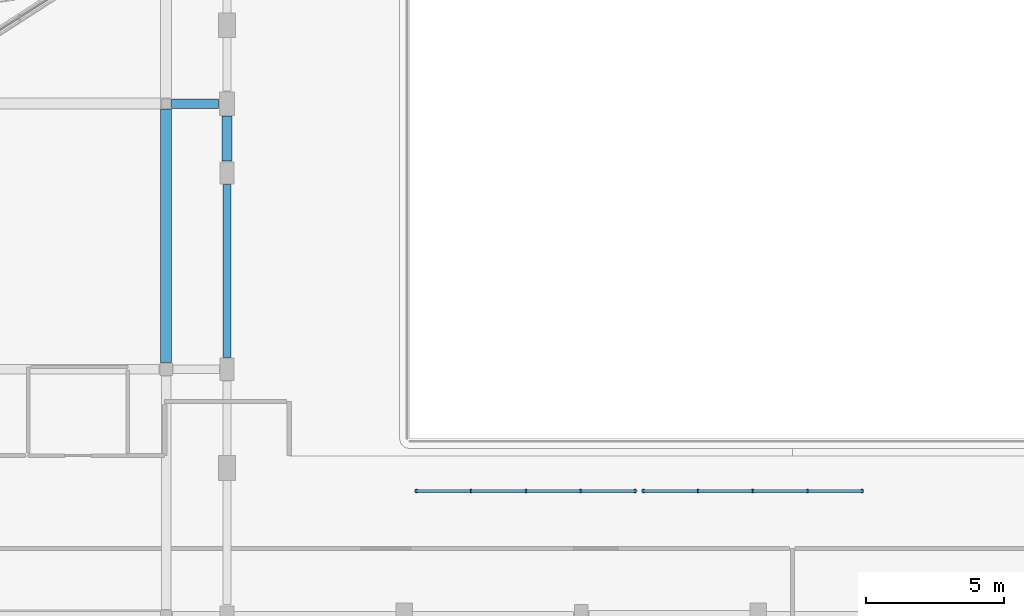
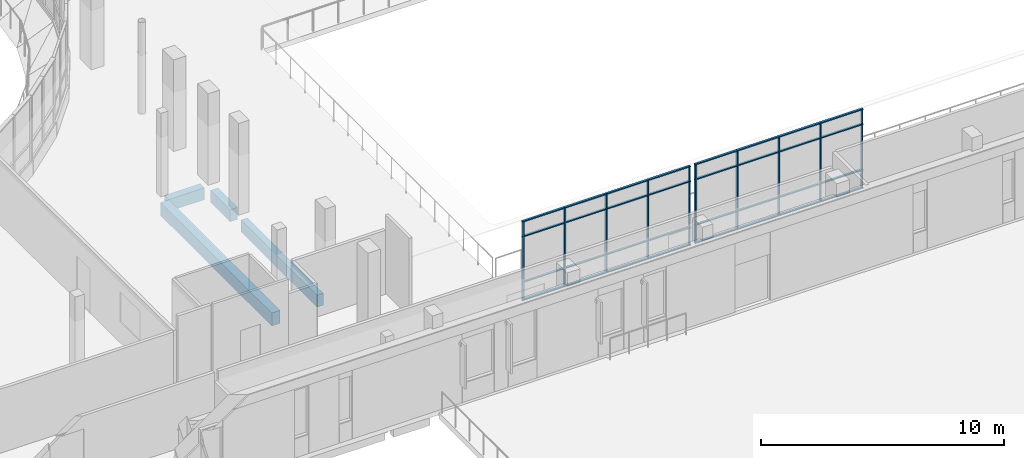
# One storey, part 16 of 73: 42 members, 4 beams, 2 elements without a shape of their own.
"""IFC4 building model written with IfcOpenShell, lengths in metres."""

from ifc_helpers import new_model, si_unit, direction, frame, origin, origin_2d, place, context, subcontext, project, spatial, rectangle, extrude, material, material_profile, profile_set, type_object, element, aggregate, save


model = new_model("IFC4")

# Units and contexts
model_context = context("Model", 3, precision=1e-05, world=origin(), true_north=direction((0.0, 1.0)))
body_context = subcontext(model_context, "Body", "Model", "MODEL_VIEW")
ifc_project = project(units=[si_unit("LENGTHUNIT", "METRE"), si_unit("AREAUNIT", "SQUARE_METRE"), si_unit("VOLUMEUNIT", "CUBIC_METRE"), si_unit("PLANEANGLEUNIT", "RADIAN"), si_unit("MASSUNIT", "GRAM", prefix="KILO")], contexts=[model_context])

# Site, building, storey
site_placement = place(None, origin())
site = spatial("IfcSite", under=ifc_project, at=site_placement, CompositionType="ELEMENT")
building_placement = place(site_placement, origin())
building = spatial("IfcBuilding", under=site, at=building_placement, Name="Mzevani Central Library", CompositionType="ELEMENT")
storey_placement = place(building_placement, frame((0.0, 0.0, 9.60009765625)))
storey = spatial("IfcBuildingStorey", under=building, at=storey_placement, Name="L02", CompositionType="ELEMENT", Elevation=9.60009765625)

# Beams
ifc_material_1 = material(Name="Concrete C35/45", Category="concrete")
ifc_material_profile_1 = material_profile(ifc_material_1, rectangle(XDim=0.300048828125, YDim=0.60009765625, at=origin_2d()), Name="RC B300x600")
ifc_profile_set_1 = profile_set([ifc_material_profile_1], Name="Concrete C35/45")
beam_type_1 = type_object("IfcBeamType", Name="Beam RC 300x600", PredefinedType="BEAM", material=ifc_profile_set_1)
beam_1_placement = place(storey_placement, frame((114.199951171875, 52.425048828125, -0.56005859375), z_axis=(0.0, 1.0, 0.0), x_axis=(-1.0, 0.0, 0.0)))
element("IfcBeam", 1, at=beam_1_placement, inside=storey, type_object=beam_type_1, Name="L02 V1 Frame Beam B-03 (130)", PredefinedType="BEAM", context=body_context, shape_type="SweptSolid", body=[
    extrude(rectangle(XDim=0.300048828125, YDim=0.60009765625, at=origin_2d()), origin(), (0.0, 0.0, 1.0), 6.25),
])
ifc_material_profile_2 = material_profile(ifc_material_1, rectangle(XDim=0.35009765625, YDim=0.60009765625, at=origin_2d()), Name="RC B350x600")
ifc_profile_set_2 = profile_set([ifc_material_profile_2], Name="Concrete C35/45")
beam_type_2 = type_object("IfcBeamType", Name="Beam RC 350x600", PredefinedType="BEAM", material=ifc_profile_set_2)
beam_2_placement = place(storey_placement, frame((112.199951171875, 61.60009765625, -0.56005859375), z_axis=(1.0, 0.0, 0.0), x_axis=(0.0, 1.0, 0.0)))
element("IfcBeam", 2, at=beam_2_placement, inside=storey, type_object=beam_type_2, Name="L02 V1 Girder B-04 (103)", PredefinedType="BEAM", context=body_context, shape_type="SweptSolid", body=[
    extrude(rectangle(XDim=0.35009765625, YDim=0.60009765625, at=origin_2d()), origin(), (0.0, 0.0, 1.0), 1.699951171875),
])
beam_3_placement = place(storey_placement, frame((114.199951171875, 59.52490234375, -0.56005859375), z_axis=(0.0, 1.0, 0.0), x_axis=(-1.0, 0.0, 0.0)))
element("IfcBeam", 3, at=beam_3_placement, inside=storey, type_object=beam_type_2, Name="L02 V1 Frame Beam B-04 (131)", PredefinedType="BEAM", context=body_context, shape_type="SweptSolid", body=[
    extrude(rectangle(XDim=0.35009765625, YDim=0.60009765625, at=origin_2d()), origin(), (0.0, 0.0, 1.0), 1.625),
])
ifc_material_profile_3 = material_profile(ifc_material_1, rectangle(XDim=0.39990234375, YDim=0.64990234375, at=origin_2d()), Name="RC B400x650")
ifc_profile_set_3 = profile_set([ifc_material_profile_3], Name="Concrete C35/45")
beam_type_3 = type_object("IfcBeamType", Name="Beam RC 400x650", PredefinedType="BEAM", material=ifc_profile_set_3)
beam_4_placement = place(storey_placement, frame((112.0, 52.25, -0.585205078125), z_axis=(0.0, 1.0, 0.0), x_axis=(-1.0, 0.0, 0.0)))
element("IfcBeam", 4, at=beam_4_placement, inside=storey, type_object=beam_type_3, Name="L02 V1 Frame Beam B-07 (126)", PredefinedType="BEAM", context=body_context, shape_type="SweptSolid", body=[
    extrude(rectangle(XDim=0.39990234375, YDim=0.64990234375, at=origin_2d()), origin(), (0.0, 0.0, 1.0), 9.14990234375),
])

# Curtain wall, members
ifc_material_2 = material(Name="Thermally broken aluminium and Low-E triple glazing", Category="aluminium")
curtain_wall_type = type_object("IfcCurtainWallType", Name="Interior Atrium Acoustic Glazed Screen", PredefinedType="NOTDEFINED", material=ifc_material_2)
curtain_wall_1_placement = place(storey_placement, origin())
curtain_wall_1 = element("IfcCurtainWall", 5, at=curtain_wall_1_placement, inside=storey, type_object=curtain_wall_type, Name="L02 Atrium Acoustic Overlook Screen 3", PredefinedType="NOTDEFINED")
ifc_material_3 = material(Name="Thermally broken aluminium AW-6060", Category="aluminium")
ifc_material_profile_4 = material_profile(ifc_material_3, rectangle(XDim=0.054931640625, YDim=0.1298828125, at=origin_2d()), Name="ALU M55x130")
ifc_profile_set_4 = profile_set([ifc_material_profile_4], Name="Thermally broken aluminium AW-6060")
member_type_1 = type_object("IfcMemberType", Name="CW Interior Mullion 55x130", PredefinedType="MULLION", material=ifc_profile_set_4)
member_1_placement = place(storey_placement, frame((121.050048828125, 47.60009765625, 0.0), z_axis=(0.0, 0.0, 1.0), x_axis=(1.0, 0.0, 0.0)))
member_1 = element("IfcMember", 6, at=member_1_placement, type_object=member_type_1, Name="L02 Atrium Acoustic Overlook Screen 3 Mullion 1", PredefinedType="MULLION", context=body_context, shape_type="SweptSolid", body=[
    extrude(rectangle(XDim=0.054931640625, YDim=0.1298828125, at=origin_2d()), origin(), (0.0, 0.0, 1.0), 3.93994140625),
])
member_2_placement = place(storey_placement, frame((123.02490234375, 47.60009765625, 0.0), z_axis=(0.0, 0.0, 1.0), x_axis=(1.0, 0.0, 0.0)))
member_2 = element("IfcMember", 7, at=member_2_placement, type_object=member_type_1, Name="L02 Atrium Acoustic Overlook Screen 3 Mullion 2", PredefinedType="MULLION", context=body_context, shape_type="SweptSolid", body=[
    extrude(rectangle(XDim=0.054931640625, YDim=0.1298828125, at=origin_2d()), origin(), (0.0, 0.0, 1.0), 3.93994140625),
])
member_3_placement = place(storey_placement, frame((125.0, 47.60009765625, 0.0), z_axis=(0.0, 0.0, 1.0), x_axis=(1.0, 0.0, 0.0)))
member_3 = element("IfcMember", 8, at=member_3_placement, type_object=member_type_1, Name="L02 Atrium Acoustic Overlook Screen 3 Mullion 3", PredefinedType="MULLION", context=body_context, shape_type="SweptSolid", body=[
    extrude(rectangle(XDim=0.054931640625, YDim=0.1298828125, at=origin_2d()), origin(), (0.0, 0.0, 1.0), 3.93994140625),
])
member_4_placement = place(storey_placement, frame((126.97509765625, 47.60009765625, 0.0), z_axis=(0.0, 0.0, 1.0), x_axis=(1.0, 0.0, 0.0)))
member_4 = element("IfcMember", 9, at=member_4_placement, type_object=member_type_1, Name="L02 Atrium Acoustic Overlook Screen 3 Mullion 4", PredefinedType="MULLION", context=body_context, shape_type="SweptSolid", body=[
    extrude(rectangle(XDim=0.054931640625, YDim=0.1298828125, at=origin_2d()), origin(), (0.0, 0.0, 1.0), 3.93994140625),
])
member_5_placement = place(storey_placement, frame((128.949951171875, 47.60009765625, 0.0), z_axis=(0.0, 0.0, 1.0), x_axis=(1.0, 0.0, 0.0)))
member_5 = element("IfcMember", 10, at=member_5_placement, type_object=member_type_1, Name="L02 Atrium Acoustic Overlook Screen 3 Mullion 5", PredefinedType="MULLION", context=body_context, shape_type="SweptSolid", body=[
    extrude(rectangle(XDim=0.054931640625, YDim=0.1298828125, at=origin_2d()), origin(), (0.0, 0.0, 1.0), 3.93994140625),
])

curtain_wall_2_placement = place(storey_placement, origin())
curtain_wall_2 = element("IfcCurtainWall", 11, at=curtain_wall_2_placement, inside=storey, type_object=curtain_wall_type, Name="L02 Atrium Acoustic Overlook Screen 4", PredefinedType="NOTDEFINED")
member_6_placement = place(storey_placement, frame((129.25, 47.60009765625, 0.0), z_axis=(0.0, 0.0, 1.0), x_axis=(1.0, 0.0, 0.0)))
member_6 = element("IfcMember", 12, at=member_6_placement, type_object=member_type_1, Name="L02 Atrium Acoustic Overlook Screen 4 Mullion 1", PredefinedType="MULLION", context=body_context, shape_type="SweptSolid", body=[
    extrude(rectangle(XDim=0.054931640625, YDim=0.1298828125, at=origin_2d()), origin(), (0.0, 0.0, 1.0), 3.93994140625),
])
member_7_placement = place(storey_placement, frame((131.22509765625, 47.60009765625, 0.0), z_axis=(0.0, 0.0, 1.0), x_axis=(1.0, 0.0, 0.0)))
member_7 = element("IfcMember", 13, at=member_7_placement, type_object=member_type_1, Name="L02 Atrium Acoustic Overlook Screen 4 Mullion 2", PredefinedType="MULLION", context=body_context, shape_type="SweptSolid", body=[
    extrude(rectangle(XDim=0.054931640625, YDim=0.1298828125, at=origin_2d()), origin(), (0.0, 0.0, 1.0), 3.93994140625),
])
member_8_placement = place(storey_placement, frame((133.199951171875, 47.60009765625, 0.0), z_axis=(0.0, 0.0, 1.0), x_axis=(1.0, 0.0, 0.0)))
member_8 = element("IfcMember", 14, at=member_8_placement, type_object=member_type_1, Name="L02 Atrium Acoustic Overlook Screen 4 Mullion 3", PredefinedType="MULLION", context=body_context, shape_type="SweptSolid", body=[
    extrude(rectangle(XDim=0.054931640625, YDim=0.1298828125, at=origin_2d()), origin(), (0.0, 0.0, 1.0), 3.93994140625),
])
member_9_placement = place(storey_placement, frame((135.175048828125, 47.60009765625, 0.0), z_axis=(0.0, 0.0, 1.0), x_axis=(1.0, 0.0, 0.0)))
member_9 = element("IfcMember", 15, at=member_9_placement, type_object=member_type_1, Name="L02 Atrium Acoustic Overlook Screen 4 Mullion 4", PredefinedType="MULLION", context=body_context, shape_type="SweptSolid", body=[
    extrude(rectangle(XDim=0.054931640625, YDim=0.1298828125, at=origin_2d()), origin(), (0.0, 0.0, 1.0), 3.93994140625),
])
member_10_placement = place(storey_placement, frame((137.14990234375, 47.60009765625, 0.0), z_axis=(0.0, 0.0, 1.0), x_axis=(1.0, 0.0, 0.0)))
member_10 = element("IfcMember", 16, at=member_10_placement, type_object=member_type_1, Name="L02 Atrium Acoustic Overlook Screen 4 Mullion 5", PredefinedType="MULLION", context=body_context, shape_type="SweptSolid", body=[
    extrude(rectangle(XDim=0.054931640625, YDim=0.1298828125, at=origin_2d()), origin(), (0.0, 0.0, 1.0), 3.93994140625),
])

# Member
ifc_material_profile_5 = material_profile(ifc_material_3, rectangle(XDim=0.10009765625, YDim=0.054931640625, at=origin_2d()), Name="ALU T55x100")
ifc_profile_set_5 = profile_set([ifc_material_profile_5], Name="Thermally broken aluminium AW-6060")
member_type_2 = type_object("IfcMemberType", Name="CW Interior Transom 55x100", PredefinedType="USERDEFINED", material=ifc_profile_set_5)
member_11_placement = place(storey_placement, frame((121.0, 47.60009765625, 0.0), z_axis=(1.0, 0.0, 0.0), x_axis=(0.0, 1.0, 0.0)))
member_11 = element("IfcMember", 17, at=member_11_placement, type_object=member_type_2, Name="L02 Atrium Acoustic Overlook Screen 3 Transom 1", ObjectType="TRANSOM", PredefinedType="USERDEFINED", context=body_context, shape_type="SweptSolid", body=[
    extrude(rectangle(XDim=0.10009765625, YDim=0.054931640625, at=origin_2d()), origin(), (0.0, 0.0, 1.0), 2.0),
])

member_12_placement = place(storey_placement, frame((121.0, 47.60009765625, 0.89990234375), z_axis=(1.0, 0.0, 0.0), x_axis=(0.0, 1.0, 0.0)))
member_12 = element("IfcMember", 18, at=member_12_placement, type_object=member_type_2, Name="L02 Atrium Acoustic Overlook Screen 3 Transom 2", ObjectType="TRANSOM", PredefinedType="USERDEFINED", context=body_context, shape_type="SweptSolid", body=[
    extrude(rectangle(XDim=0.10009765625, YDim=0.054931640625, at=origin_2d()), origin(), (0.0, 0.0, 1.0), 2.0),
])

member_13_placement = place(storey_placement, frame((121.0, 47.60009765625, 3.18994140625), z_axis=(1.0, 0.0, 0.0), x_axis=(0.0, 1.0, 0.0)))
member_13 = element("IfcMember", 19, at=member_13_placement, type_object=member_type_2, Name="L02 Atrium Acoustic Overlook Screen 3 Transom 3", ObjectType="TRANSOM", PredefinedType="USERDEFINED", context=body_context, shape_type="SweptSolid", body=[
    extrude(rectangle(XDim=0.10009765625, YDim=0.054931640625, at=origin_2d()), origin(), (0.0, 0.0, 1.0), 2.0),
])

member_14_placement = place(storey_placement, frame((121.0, 47.60009765625, 3.93994140625), z_axis=(1.0, 0.0, 0.0), x_axis=(0.0, 1.0, 0.0)))
member_14 = element("IfcMember", 20, at=member_14_placement, type_object=member_type_2, Name="L02 Atrium Acoustic Overlook Screen 3 Transom 4", ObjectType="TRANSOM", PredefinedType="USERDEFINED", context=body_context, shape_type="SweptSolid", body=[
    extrude(rectangle(XDim=0.10009765625, YDim=0.054931640625, at=origin_2d()), origin(), (0.0, 0.0, 1.0), 2.0),
])

member_15_placement = place(storey_placement, frame((123.0, 47.60009765625, 0.0), z_axis=(1.0, 0.0, 0.0), x_axis=(0.0, 1.0, 0.0)))
member_15 = element("IfcMember", 21, at=member_15_placement, type_object=member_type_2, Name="L02 Atrium Acoustic Overlook Screen 3 Transom 5", ObjectType="TRANSOM", PredefinedType="USERDEFINED", context=body_context, shape_type="SweptSolid", body=[
    extrude(rectangle(XDim=0.10009765625, YDim=0.054931640625, at=origin_2d()), origin(), (0.0, 0.0, 1.0), 2.0),
])

member_16_placement = place(storey_placement, frame((123.0, 47.60009765625, 0.89990234375), z_axis=(1.0, 0.0, 0.0), x_axis=(0.0, 1.0, 0.0)))
member_16 = element("IfcMember", 22, at=member_16_placement, type_object=member_type_2, Name="L02 Atrium Acoustic Overlook Screen 3 Transom 6", ObjectType="TRANSOM", PredefinedType="USERDEFINED", context=body_context, shape_type="SweptSolid", body=[
    extrude(rectangle(XDim=0.10009765625, YDim=0.054931640625, at=origin_2d()), origin(), (0.0, 0.0, 1.0), 2.0),
])

member_17_placement = place(storey_placement, frame((123.0, 47.60009765625, 3.18994140625), z_axis=(1.0, 0.0, 0.0), x_axis=(0.0, 1.0, 0.0)))
member_17 = element("IfcMember", 23, at=member_17_placement, type_object=member_type_2, Name="L02 Atrium Acoustic Overlook Screen 3 Transom 7", ObjectType="TRANSOM", PredefinedType="USERDEFINED", context=body_context, shape_type="SweptSolid", body=[
    extrude(rectangle(XDim=0.10009765625, YDim=0.054931640625, at=origin_2d()), origin(), (0.0, 0.0, 1.0), 2.0),
])

member_18_placement = place(storey_placement, frame((123.0, 47.60009765625, 3.93994140625), z_axis=(1.0, 0.0, 0.0), x_axis=(0.0, 1.0, 0.0)))
member_18 = element("IfcMember", 24, at=member_18_placement, type_object=member_type_2, Name="L02 Atrium Acoustic Overlook Screen 3 Transom 8", ObjectType="TRANSOM", PredefinedType="USERDEFINED", context=body_context, shape_type="SweptSolid", body=[
    extrude(rectangle(XDim=0.10009765625, YDim=0.054931640625, at=origin_2d()), origin(), (0.0, 0.0, 1.0), 2.0),
])

member_19_placement = place(storey_placement, frame((125.0, 47.60009765625, 0.0), z_axis=(1.0, 0.0, 0.0), x_axis=(0.0, 1.0, 0.0)))
member_19 = element("IfcMember", 25, at=member_19_placement, type_object=member_type_2, Name="L02 Atrium Acoustic Overlook Screen 3 Transom 9", ObjectType="TRANSOM", PredefinedType="USERDEFINED", context=body_context, shape_type="SweptSolid", body=[
    extrude(rectangle(XDim=0.10009765625, YDim=0.054931640625, at=origin_2d()), origin(), (0.0, 0.0, 1.0), 2.0),
])

member_20_placement = place(storey_placement, frame((125.0, 47.60009765625, 0.89990234375), z_axis=(1.0, 0.0, 0.0), x_axis=(0.0, 1.0, 0.0)))
member_20 = element("IfcMember", 26, at=member_20_placement, type_object=member_type_2, Name="L02 Atrium Acoustic Overlook Screen 3 Transom 10", ObjectType="TRANSOM", PredefinedType="USERDEFINED", context=body_context, shape_type="SweptSolid", body=[
    extrude(rectangle(XDim=0.10009765625, YDim=0.054931640625, at=origin_2d()), origin(), (0.0, 0.0, 1.0), 2.0),
])

member_21_placement = place(storey_placement, frame((125.0, 47.60009765625, 3.18994140625), z_axis=(1.0, 0.0, 0.0), x_axis=(0.0, 1.0, 0.0)))
member_21 = element("IfcMember", 27, at=member_21_placement, type_object=member_type_2, Name="L02 Atrium Acoustic Overlook Screen 3 Transom 11", ObjectType="TRANSOM", PredefinedType="USERDEFINED", context=body_context, shape_type="SweptSolid", body=[
    extrude(rectangle(XDim=0.10009765625, YDim=0.054931640625, at=origin_2d()), origin(), (0.0, 0.0, 1.0), 2.0),
])

member_22_placement = place(storey_placement, frame((125.0, 47.60009765625, 3.93994140625), z_axis=(1.0, 0.0, 0.0), x_axis=(0.0, 1.0, 0.0)))
member_22 = element("IfcMember", 28, at=member_22_placement, type_object=member_type_2, Name="L02 Atrium Acoustic Overlook Screen 3 Transom 12", ObjectType="TRANSOM", PredefinedType="USERDEFINED", context=body_context, shape_type="SweptSolid", body=[
    extrude(rectangle(XDim=0.10009765625, YDim=0.054931640625, at=origin_2d()), origin(), (0.0, 0.0, 1.0), 2.0),
])

member_23_placement = place(storey_placement, frame((127.0, 47.60009765625, 0.0), z_axis=(1.0, 0.0, 0.0), x_axis=(0.0, 1.0, 0.0)))
member_23 = element("IfcMember", 29, at=member_23_placement, type_object=member_type_2, Name="L02 Atrium Acoustic Overlook Screen 3 Transom 13", ObjectType="TRANSOM", PredefinedType="USERDEFINED", context=body_context, shape_type="SweptSolid", body=[
    extrude(rectangle(XDim=0.10009765625, YDim=0.054931640625, at=origin_2d()), origin(), (0.0, 0.0, 1.0), 2.0),
])

member_24_placement = place(storey_placement, frame((127.0, 47.60009765625, 0.89990234375), z_axis=(1.0, 0.0, 0.0), x_axis=(0.0, 1.0, 0.0)))
member_24 = element("IfcMember", 30, at=member_24_placement, type_object=member_type_2, Name="L02 Atrium Acoustic Overlook Screen 3 Transom 14", ObjectType="TRANSOM", PredefinedType="USERDEFINED", context=body_context, shape_type="SweptSolid", body=[
    extrude(rectangle(XDim=0.10009765625, YDim=0.054931640625, at=origin_2d()), origin(), (0.0, 0.0, 1.0), 2.0),
])

member_25_placement = place(storey_placement, frame((127.0, 47.60009765625, 3.18994140625), z_axis=(1.0, 0.0, 0.0), x_axis=(0.0, 1.0, 0.0)))
member_25 = element("IfcMember", 31, at=member_25_placement, type_object=member_type_2, Name="L02 Atrium Acoustic Overlook Screen 3 Transom 15", ObjectType="TRANSOM", PredefinedType="USERDEFINED", context=body_context, shape_type="SweptSolid", body=[
    extrude(rectangle(XDim=0.10009765625, YDim=0.054931640625, at=origin_2d()), origin(), (0.0, 0.0, 1.0), 2.0),
])

member_26_placement = place(storey_placement, frame((127.0, 47.60009765625, 3.93994140625), z_axis=(1.0, 0.0, 0.0), x_axis=(0.0, 1.0, 0.0)))
member_26 = element("IfcMember", 32, at=member_26_placement, type_object=member_type_2, Name="L02 Atrium Acoustic Overlook Screen 3 Transom 16", ObjectType="TRANSOM", PredefinedType="USERDEFINED", context=body_context, shape_type="SweptSolid", body=[
    extrude(rectangle(XDim=0.10009765625, YDim=0.054931640625, at=origin_2d()), origin(), (0.0, 0.0, 1.0), 2.0),
])

aggregate(curtain_wall_1, [member_1, member_2, member_3, member_4, member_5, member_11, member_12, member_13, member_14, member_15, member_16, member_17, member_18, member_19, member_20, member_21, member_22, member_23, member_24, member_25, member_26])

member_27_placement = place(storey_placement, frame((129.199951171875, 47.60009765625, 0.0), z_axis=(1.0, 0.0, 0.0), x_axis=(0.0, 1.0, 0.0)))
member_27 = element("IfcMember", 33, at=member_27_placement, type_object=member_type_2, Name="L02 Atrium Acoustic Overlook Screen 4 Transom 1", ObjectType="TRANSOM", PredefinedType="USERDEFINED", context=body_context, shape_type="SweptSolid", body=[
    extrude(rectangle(XDim=0.10009765625, YDim=0.054931640625, at=origin_2d()), origin(), (0.0, 0.0, 1.0), 2.0),
])

member_28_placement = place(storey_placement, frame((129.199951171875, 47.60009765625, 0.89990234375), z_axis=(1.0, 0.0, 0.0), x_axis=(0.0, 1.0, 0.0)))
member_28 = element("IfcMember", 34, at=member_28_placement, type_object=member_type_2, Name="L02 Atrium Acoustic Overlook Screen 4 Transom 2", ObjectType="TRANSOM", PredefinedType="USERDEFINED", context=body_context, shape_type="SweptSolid", body=[
    extrude(rectangle(XDim=0.10009765625, YDim=0.054931640625, at=origin_2d()), origin(), (0.0, 0.0, 1.0), 2.0),
])

member_29_placement = place(storey_placement, frame((129.199951171875, 47.60009765625, 3.18994140625), z_axis=(1.0, 0.0, 0.0), x_axis=(0.0, 1.0, 0.0)))
member_29 = element("IfcMember", 35, at=member_29_placement, type_object=member_type_2, Name="L02 Atrium Acoustic Overlook Screen 4 Transom 3", ObjectType="TRANSOM", PredefinedType="USERDEFINED", context=body_context, shape_type="SweptSolid", body=[
    extrude(rectangle(XDim=0.10009765625, YDim=0.054931640625, at=origin_2d()), origin(), (0.0, 0.0, 1.0), 2.0),
])

member_30_placement = place(storey_placement, frame((129.199951171875, 47.60009765625, 3.93994140625), z_axis=(1.0, 0.0, 0.0), x_axis=(0.0, 1.0, 0.0)))
member_30 = element("IfcMember", 36, at=member_30_placement, type_object=member_type_2, Name="L02 Atrium Acoustic Overlook Screen 4 Transom 4", ObjectType="TRANSOM", PredefinedType="USERDEFINED", context=body_context, shape_type="SweptSolid", body=[
    extrude(rectangle(XDim=0.10009765625, YDim=0.054931640625, at=origin_2d()), origin(), (0.0, 0.0, 1.0), 2.0),
])

member_31_placement = place(storey_placement, frame((131.199951171875, 47.60009765625, 0.0), z_axis=(1.0, 0.0, 0.0), x_axis=(0.0, 1.0, 0.0)))
member_31 = element("IfcMember", 37, at=member_31_placement, type_object=member_type_2, Name="L02 Atrium Acoustic Overlook Screen 4 Transom 5", ObjectType="TRANSOM", PredefinedType="USERDEFINED", context=body_context, shape_type="SweptSolid", body=[
    extrude(rectangle(XDim=0.10009765625, YDim=0.054931640625, at=origin_2d()), origin(), (0.0, 0.0, 1.0), 2.0),
])

member_32_placement = place(storey_placement, frame((131.199951171875, 47.60009765625, 0.89990234375), z_axis=(1.0, 0.0, 0.0), x_axis=(0.0, 1.0, 0.0)))
member_32 = element("IfcMember", 38, at=member_32_placement, type_object=member_type_2, Name="L02 Atrium Acoustic Overlook Screen 4 Transom 6", ObjectType="TRANSOM", PredefinedType="USERDEFINED", context=body_context, shape_type="SweptSolid", body=[
    extrude(rectangle(XDim=0.10009765625, YDim=0.054931640625, at=origin_2d()), origin(), (0.0, 0.0, 1.0), 2.0),
])

member_33_placement = place(storey_placement, frame((131.199951171875, 47.60009765625, 3.18994140625), z_axis=(1.0, 0.0, 0.0), x_axis=(0.0, 1.0, 0.0)))
member_33 = element("IfcMember", 39, at=member_33_placement, type_object=member_type_2, Name="L02 Atrium Acoustic Overlook Screen 4 Transom 7", ObjectType="TRANSOM", PredefinedType="USERDEFINED", context=body_context, shape_type="SweptSolid", body=[
    extrude(rectangle(XDim=0.10009765625, YDim=0.054931640625, at=origin_2d()), origin(), (0.0, 0.0, 1.0), 2.0),
])

member_34_placement = place(storey_placement, frame((131.199951171875, 47.60009765625, 3.93994140625), z_axis=(1.0, 0.0, 0.0), x_axis=(0.0, 1.0, 0.0)))
member_34 = element("IfcMember", 40, at=member_34_placement, type_object=member_type_2, Name="L02 Atrium Acoustic Overlook Screen 4 Transom 8", ObjectType="TRANSOM", PredefinedType="USERDEFINED", context=body_context, shape_type="SweptSolid", body=[
    extrude(rectangle(XDim=0.10009765625, YDim=0.054931640625, at=origin_2d()), origin(), (0.0, 0.0, 1.0), 2.0),
])

member_35_placement = place(storey_placement, frame((133.199951171875, 47.60009765625, 0.0), z_axis=(1.0, 0.0, 0.0), x_axis=(0.0, 1.0, 0.0)))
member_35 = element("IfcMember", 41, at=member_35_placement, type_object=member_type_2, Name="L02 Atrium Acoustic Overlook Screen 4 Transom 9", ObjectType="TRANSOM", PredefinedType="USERDEFINED", context=body_context, shape_type="SweptSolid", body=[
    extrude(rectangle(XDim=0.10009765625, YDim=0.054931640625, at=origin_2d()), origin(), (0.0, 0.0, 1.0), 2.0),
])

member_36_placement = place(storey_placement, frame((133.199951171875, 47.60009765625, 0.89990234375), z_axis=(1.0, 0.0, 0.0), x_axis=(0.0, 1.0, 0.0)))
member_36 = element("IfcMember", 42, at=member_36_placement, type_object=member_type_2, Name="L02 Atrium Acoustic Overlook Screen 4 Transom 10", ObjectType="TRANSOM", PredefinedType="USERDEFINED", context=body_context, shape_type="SweptSolid", body=[
    extrude(rectangle(XDim=0.10009765625, YDim=0.054931640625, at=origin_2d()), origin(), (0.0, 0.0, 1.0), 2.0),
])

member_37_placement = place(storey_placement, frame((133.199951171875, 47.60009765625, 3.18994140625), z_axis=(1.0, 0.0, 0.0), x_axis=(0.0, 1.0, 0.0)))
member_37 = element("IfcMember", 43, at=member_37_placement, type_object=member_type_2, Name="L02 Atrium Acoustic Overlook Screen 4 Transom 11", ObjectType="TRANSOM", PredefinedType="USERDEFINED", context=body_context, shape_type="SweptSolid", body=[
    extrude(rectangle(XDim=0.10009765625, YDim=0.054931640625, at=origin_2d()), origin(), (0.0, 0.0, 1.0), 2.0),
])

member_38_placement = place(storey_placement, frame((133.199951171875, 47.60009765625, 3.93994140625), z_axis=(1.0, 0.0, 0.0), x_axis=(0.0, 1.0, 0.0)))
member_38 = element("IfcMember", 44, at=member_38_placement, type_object=member_type_2, Name="L02 Atrium Acoustic Overlook Screen 4 Transom 12", ObjectType="TRANSOM", PredefinedType="USERDEFINED", context=body_context, shape_type="SweptSolid", body=[
    extrude(rectangle(XDim=0.10009765625, YDim=0.054931640625, at=origin_2d()), origin(), (0.0, 0.0, 1.0), 2.0),
])

member_39_placement = place(storey_placement, frame((135.199951171875, 47.60009765625, 0.0), z_axis=(1.0, 0.0, 0.0), x_axis=(0.0, 1.0, 0.0)))
member_39 = element("IfcMember", 45, at=member_39_placement, type_object=member_type_2, Name="L02 Atrium Acoustic Overlook Screen 4 Transom 13", ObjectType="TRANSOM", PredefinedType="USERDEFINED", context=body_context, shape_type="SweptSolid", body=[
    extrude(rectangle(XDim=0.10009765625, YDim=0.054931640625, at=origin_2d()), origin(), (0.0, 0.0, 1.0), 2.0),
])

member_40_placement = place(storey_placement, frame((135.199951171875, 47.60009765625, 0.89990234375), z_axis=(1.0, 0.0, 0.0), x_axis=(0.0, 1.0, 0.0)))
member_40 = element("IfcMember", 46, at=member_40_placement, type_object=member_type_2, Name="L02 Atrium Acoustic Overlook Screen 4 Transom 14", ObjectType="TRANSOM", PredefinedType="USERDEFINED", context=body_context, shape_type="SweptSolid", body=[
    extrude(rectangle(XDim=0.10009765625, YDim=0.054931640625, at=origin_2d()), origin(), (0.0, 0.0, 1.0), 2.0),
])

member_41_placement = place(storey_placement, frame((135.199951171875, 47.60009765625, 3.18994140625), z_axis=(1.0, 0.0, 0.0), x_axis=(0.0, 1.0, 0.0)))
member_41 = element("IfcMember", 47, at=member_41_placement, type_object=member_type_2, Name="L02 Atrium Acoustic Overlook Screen 4 Transom 15", ObjectType="TRANSOM", PredefinedType="USERDEFINED", context=body_context, shape_type="SweptSolid", body=[
    extrude(rectangle(XDim=0.10009765625, YDim=0.054931640625, at=origin_2d()), origin(), (0.0, 0.0, 1.0), 2.0),
])

member_42_placement = place(storey_placement, frame((135.199951171875, 47.60009765625, 3.93994140625), z_axis=(1.0, 0.0, 0.0), x_axis=(0.0, 1.0, 0.0)))
member_42 = element("IfcMember", 48, at=member_42_placement, type_object=member_type_2, Name="L02 Atrium Acoustic Overlook Screen 4 Transom 16", ObjectType="TRANSOM", PredefinedType="USERDEFINED", context=body_context, shape_type="SweptSolid", body=[
    extrude(rectangle(XDim=0.10009765625, YDim=0.054931640625, at=origin_2d()), origin(), (0.0, 0.0, 1.0), 2.0),
])

aggregate(curtain_wall_2, [member_6, member_7, member_8, member_9, member_10, member_27, member_28, member_29, member_30, member_31, member_32, member_33, member_34, member_35, member_36, member_37, member_38, member_39, member_40, member_41, member_42])

save(model, "model.ifc")
